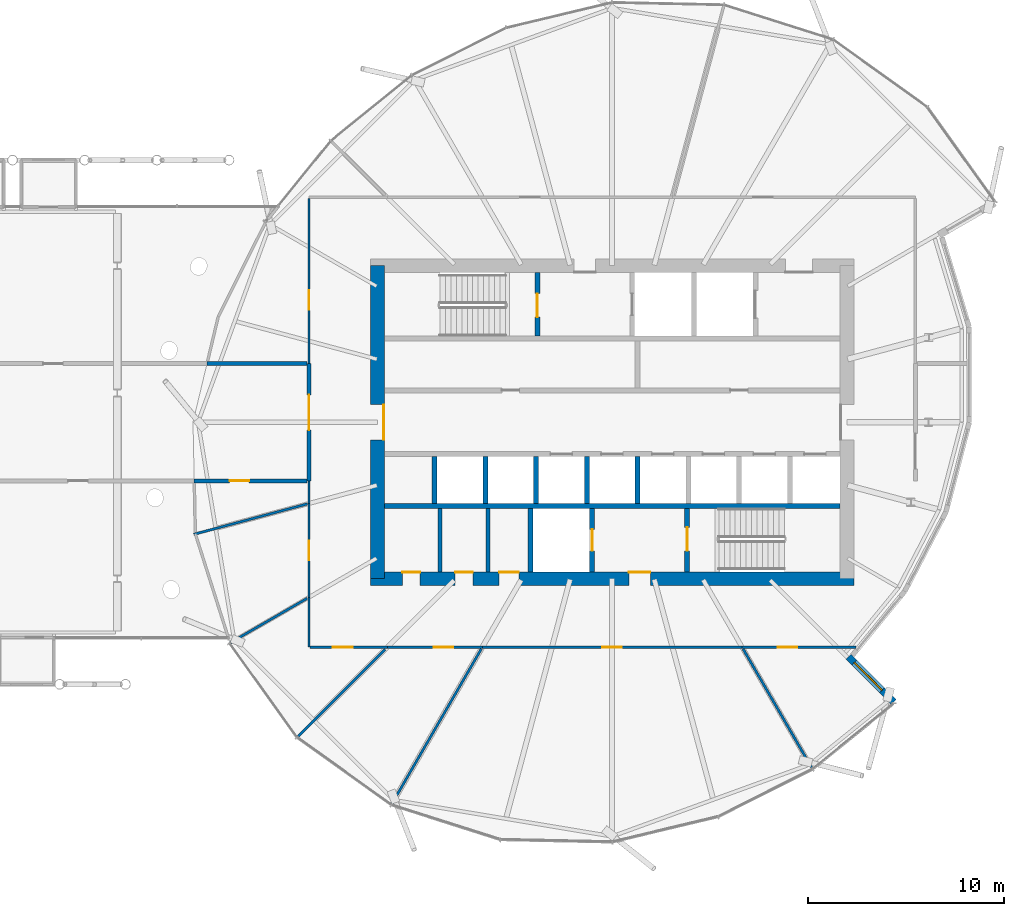
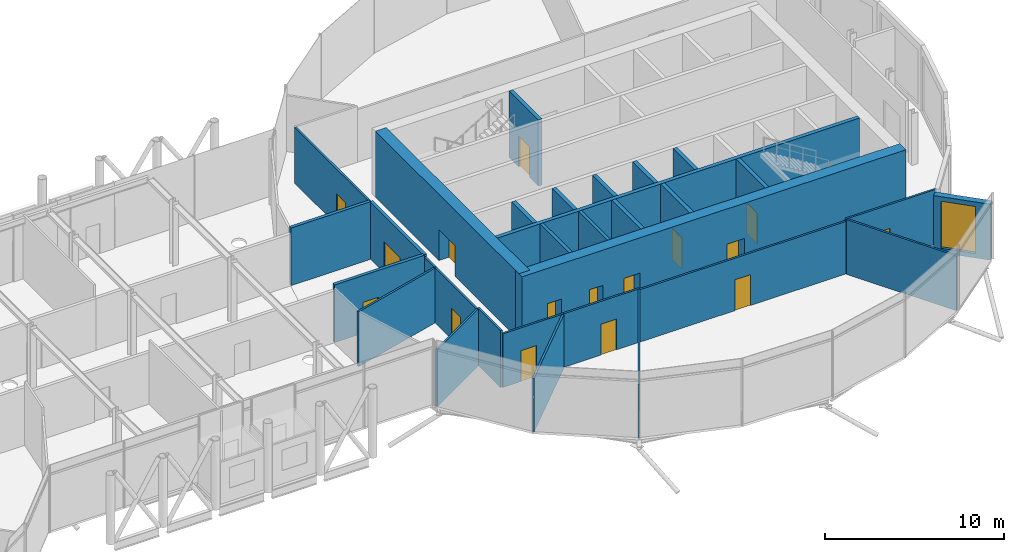
# One storey, part 25 of 36: 31 walls, 16 doors, 1 window, 17 openings.
"""IFC4 building model written with IfcOpenShell, lengths in metres."""

from ifc_helpers import new_model, si_unit, direction, frame, frame_2d, origin, place, context, subcontext, project, spatial, rectangle, extrude, material, layer, layer_set, type_object, element, fill, save


model = new_model("IFC4")

# Units and contexts
model_context = context("Model", 3, precision=1e-05, world=origin(), true_north=direction((0.0, 1.0)))
body_context = subcontext(model_context, "Body", "Model", "MODEL_VIEW")
ifc_project = project(units=[si_unit("LENGTHUNIT", "METRE"), si_unit("AREAUNIT", "SQUARE_METRE"), si_unit("VOLUMEUNIT", "CUBIC_METRE"), si_unit("PLANEANGLEUNIT", "RADIAN"), si_unit("MASSUNIT", "GRAM", prefix="KILO")], contexts=[model_context])

# Site, building, storey
site_placement = place(None, origin())
site = spatial("IfcSite", under=ifc_project, at=site_placement, CompositionType="ELEMENT")
building_placement = place(site_placement, origin())
building = spatial("IfcBuilding", under=site, at=building_placement, Name="Rimbun Link Towers", CompositionType="ELEMENT")
storey_placement = place(building_placement, frame((0.0, 0.0, 154.39990234375)))
storey = spatial("IfcBuildingStorey", under=building, at=storey_placement, Name="L37", CompositionType="ELEMENT", Elevation=154.39990234375)

# Wall, opening, window
ifc_material_1 = material(Name="Dark enamelled glass spandrel on insulated aluminium backpan", Category="aluminium")
ifc_layer_1 = layer(ifc_material_1, 0.3701171875)
ifc_layer_set_1 = layer_set([ifc_layer_1], Name="CS dark enamelled spandrel wall 370")
wall_type_1 = type_object("IfcWallType", Name="CS dark enamelled spandrel wall 370", PredefinedType="STANDARD", material=ifc_layer_set_1)
wall_1_placement = place(storey_placement, frame((43.827880859375, -11.98583984375, 0.0), z_axis=(0.0, 0.0, 1.0), x_axis=(0.707106781187, -0.707106781187, 0.0)))
wall_1 = element("IfcWall", 1, at=wall_1_placement, inside=storey, type_object=wall_type_1, Name="Crease spandrel wall", PredefinedType="STANDARD", context=body_context, shape_type="SweptSolid", body=[
    extrude(rectangle(XDim=3.280029296875, YDim=0.3701171875, at=frame_2d((1.64013671875, 0.0))), origin(), (0.0, 0.0, 1.0), 3.80712890625),
])
opening_1_placement = place(wall_1_placement, frame((0.426513671875, 0.0, 0.300048828125)))
opening_1 = element("IfcOpeningElement", 2, at=opening_1_placement, cuts=wall_1, Name="Opening WR20H320", PredefinedType="OPENING", context=body_context, shape_type="SweptSolid", body=[
    extrude(rectangle(XDim=2.0, YDim=3.199951171875, at=frame_2d((1.0, 1.60009765625))), frame((0.0, 0.195068359375, 0.0), z_axis=(0.0, -1.0, 0.0), x_axis=(1.0, 0.0, 0.0)), (0.0, 0.0, 1.0), 0.39013671875),
])
ifc_material_2 = material(Name="Aluminium framed fixed window, dark tinted low-e glass", Category="aluminium")
window_type = type_object("IfcWindowType", Name="WR ribbon window 2000X3200", PartitioningType="SINGLE_PANEL", PredefinedType="WINDOW", material=ifc_material_2)
window_placement = place(opening_1_placement, origin())
window = element("IfcWindow", 3, at=window_placement, inside=storey, type_object=window_type, Name="Crease ribbon window", OverallHeight=3.199951171875, OverallWidth=2.0, PartitioningType="SINGLE_PANEL", PredefinedType="WINDOW", context=body_context, shape_type="SweptSolid", body=[
    extrude(rectangle(XDim=2.0, YDim=3.199951171875, at=frame_2d((1.0, 1.60009765625))), frame((0.0, 0.030029296875, 0.0), z_axis=(0.0, -1.0, 0.0), x_axis=(1.0, 0.0, 0.0)), (0.0, 0.0, 1.0), 0.06005859375),
])
fill(opening_1, window)

# Walls
ifc_material_3 = material(Name="Masonry blockwork", Category="masonry")
ifc_layer_2 = layer(ifc_material_3, 0.199951171875)
ifc_layer_set_2 = layer_set([ifc_layer_2], Name="Core partition 200")
wall_type_2 = type_object("IfcWallType", Name="Core partition 200", PredefinedType="PARTITIONING", material=ifc_layer_set_2)
for number, where, z_axis, x_axis, name in (
    (4, (22.949951171875, -4.39990234375, 0.0), (0.0, 0.0, 1.0), (0.0, -1.0, 0.0), "L37 T2 core wall C1"),
    (5, (25.39990234375, -4.39990234375, 0.0), (0.0, 0.0, 1.0), (0.0, -1.0, 0.0), "L37 T2 core wall C2"),
):
    element("IfcWall", number, at=place(storey_placement, frame(where, z_axis=z_axis, x_axis=x_axis)), inside=storey, type_object=wall_type_2, Name=name, PredefinedType="PARTITIONING", context=body_context, shape_type="SweptSolid", body=[
        extrude(rectangle(XDim=3.25, YDim=0.199951171875, at=frame_2d((1.625, 0.0))), origin(), (0.0, 0.0, 1.0), 4.5),
    ])

# Wall, openings, doors
ifc_material_4 = material(Name="Concrete C60/75", Category="concrete")
ifc_layer_3 = layer(ifc_material_4, 0.699951171875)
ifc_layer_set_3 = layer_set([ifc_layer_3], Name="Core shear wall 700")
wall_type_3 = type_object("IfcWallType", Name="Core shear wall 700", PredefinedType="SHEAR", material=ifc_layer_set_3)
wall_2_placement = place(storey_placement, frame((19.39990234375, -8.0, 0.0), z_axis=(0.0, 0.0, 1.0), x_axis=(1.0, 0.0, 0.0)))
wall_2 = element("IfcWall", 6, at=wall_2_placement, inside=storey, type_object=wall_type_3, Name="L37 T2 core wall S", PredefinedType="SHEAR", context=body_context, shape_type="SweptSolid", body=[
    extrude(rectangle(XDim=24.7001953125, YDim=0.699951171875, at=frame_2d((12.35009765625, 0.0))), origin(), (0.0, 0.0, 1.0), 4.5),
])
opening_2_placement = place(wall_2_placement, frame((13.199951171875, 0.0, 0.0)))
opening_2 = element("IfcOpeningElement", 7, at=opening_2_placement, cuts=wall_2, Name="Opening C2DCF01S", PredefinedType="OPENING", context=body_context, shape_type="SweptSolid", body=[
    extrude(rectangle(XDim=1.10009765625, YDim=2.10009765625, at=frame_2d((0.550048828125, 1.050048828125))), frame((0.0, 0.35986328125, 0.0), z_axis=(0.0, -1.0, 0.0), x_axis=(1.0, 0.0, 0.0)), (0.0, 0.0, 1.0), 0.719970703125),
])
opening_3_placement = place(wall_2_placement, frame((1.625, 0.0, 0.0)))
opening_3 = element("IfcOpeningElement", 8, at=opening_3_placement, cuts=wall_2, Name="Opening C2DWC02S", PredefinedType="OPENING", context=body_context, shape_type="SweptSolid", body=[
    extrude(rectangle(XDim=0.89990234375, YDim=2.10009765625, at=frame_2d((0.449951171875, 1.050048828125))), frame((0.0, 0.35986328125, 0.0), z_axis=(0.0, -1.0, 0.0), x_axis=(1.0, 0.0, 0.0)), (0.0, 0.0, 1.0), 0.719970703125),
])
opening_4_placement = place(wall_2_placement, frame((4.324951171875, 0.0, 0.0)))
opening_4 = element("IfcOpeningElement", 9, at=opening_4_placement, cuts=wall_2, Name="Opening C2DWC03S", PredefinedType="OPENING", context=body_context, shape_type="SweptSolid", body=[
    extrude(rectangle(XDim=0.89990234375, YDim=2.10009765625, at=frame_2d((0.449951171875, 1.050048828125))), frame((0.0, 0.35986328125, 0.0), z_axis=(0.0, -1.0, 0.0), x_axis=(1.0, 0.0, 0.0)), (0.0, 0.0, 1.0), 0.719970703125),
])
opening_5_placement = place(wall_2_placement, frame((6.574951171875, 0.0, 0.0)))
opening_5 = element("IfcOpeningElement", 10, at=opening_5_placement, cuts=wall_2, Name="Opening C2DAW04S", PredefinedType="OPENING", context=body_context, shape_type="SweptSolid", body=[
    extrude(rectangle(XDim=1.0, YDim=2.10009765625, at=frame_2d((0.5, 1.050048828125))), frame((0.0, 0.35986328125, 0.0), z_axis=(0.0, -1.0, 0.0), x_axis=(1.0, 0.0, 0.0)), (0.0, 0.0, 1.0), 0.719970703125),
])
ifc_material_5 = material(Name="Timber", Category="wood")
door_type_1 = type_object("IfcDoorType", Name="Accessible WC door", OperationType="SINGLE_SWING_LEFT", PredefinedType="DOOR", material=ifc_material_5)
door_1_placement = place(opening_5_placement, origin())
door_1 = element("IfcDoor", 11, at=door_1_placement, inside=storey, type_object=door_type_1, Name="L37 T2 accessible wc door", OperationType="SINGLE_SWING_LEFT", OverallHeight=2.10009765625, OverallWidth=1.0, PredefinedType="DOOR", context=body_context, shape_type="SweptSolid", body=[
    extrude(rectangle(XDim=1.0, YDim=2.10009765625, at=frame_2d((0.5, 1.050048828125))), frame((0.0, 0.35009765625, 0.0), z_axis=(0.0, -1.0, 0.0), x_axis=(1.0, 0.0, 0.0)), (0.0, 0.0, 1.0), 0.050048828125),
])
fill(opening_5, door_1)
ifc_material_6 = material(Name="Steel fire door set", Category="steel")
door_type_2 = type_object("IfcDoorType", Name="Core fire door single", OperationType="SINGLE_SWING_LEFT", PredefinedType="DOOR", material=ifc_material_6)
door_2_placement = place(opening_2_placement, origin())
door_2 = element("IfcDoor", 12, at=door_2_placement, inside=storey, type_object=door_type_2, Name="L37 T2 firefighting lobby s door", OperationType="SINGLE_SWING_RIGHT", OverallHeight=2.10009765625, OverallWidth=1.10009765625, PredefinedType="DOOR", context=body_context, shape_type="SweptSolid", body=[
    extrude(rectangle(XDim=1.10009765625, YDim=2.10009765625, at=frame_2d((0.550048828125, 1.050048828125))), frame((0.0, 0.35009765625, 0.0), z_axis=(0.0, -1.0, 0.0), x_axis=(1.0, 0.0, 0.0)), (0.0, 0.0, 1.0), 0.050048828125),
])
fill(opening_2, door_2)
ifc_material_7 = material(Name="Timber", Category="wood")
door_type_3 = type_object("IfcDoorType", Name="WC door", OperationType="SINGLE_SWING_LEFT", PredefinedType="DOOR", material=ifc_material_7)
door_3_placement = place(opening_3_placement, origin())
door_3 = element("IfcDoor", 13, at=door_3_placement, inside=storey, type_object=door_type_3, Name="L37 T2 male wc door", OperationType="SINGLE_SWING_RIGHT", OverallHeight=2.10009765625, OverallWidth=0.89990234375, PredefinedType="DOOR", context=body_context, shape_type="SweptSolid", body=[
    extrude(rectangle(XDim=0.89990234375, YDim=2.10009765625, at=frame_2d((0.449951171875, 1.050048828125))), frame((0.0, 0.35009765625, 0.0), z_axis=(0.0, -1.0, 0.0), x_axis=(1.0, 0.0, 0.0)), (0.0, 0.0, 1.0), 0.050048828125),
])
fill(opening_3, door_3)
door_4_placement = place(opening_4_placement, origin())
door_4 = element("IfcDoor", 14, at=door_4_placement, inside=storey, type_object=door_type_3, Name="L37 T2 female wc door", OperationType="SINGLE_SWING_RIGHT", OverallHeight=2.10009765625, OverallWidth=0.89990234375, PredefinedType="DOOR", context=body_context, shape_type="SweptSolid", body=[
    extrude(rectangle(XDim=0.89990234375, YDim=2.10009765625, at=frame_2d((0.449951171875, 1.050048828125))), frame((0.0, 0.35009765625, 0.0), z_axis=(0.0, -1.0, 0.0), x_axis=(1.0, 0.0, 0.0)), (0.0, 0.0, 1.0), 0.050048828125),
])
fill(opening_4, door_4)

# Wall, opening, door
wall_3_placement = place(storey_placement, frame((19.75, -8.0, 0.0), z_axis=(0.0, 0.0, 1.0), x_axis=(0.0, 1.0, 0.0)))
wall_3 = element("IfcWall", 15, at=wall_3_placement, inside=storey, type_object=wall_type_3, Name="L37 T2 core wall W", PredefinedType="SHEAR", context=body_context, shape_type="SweptSolid", body=[
    extrude(rectangle(XDim=16.0, YDim=0.699951171875, at=frame_2d((8.0, 0.0))), origin(), (0.0, 0.0, 1.0), 4.5),
])
opening_6_placement = place(wall_3_placement, frame((7.10009765625, 0.0, 0.0)))
opening_6 = element("IfcOpeningElement", 16, at=opening_6_placement, cuts=wall_3, Name="Opening C2DCL01W", PredefinedType="OPENING", context=body_context, shape_type="SweptSolid", body=[
    extrude(rectangle(XDim=1.800048828125, YDim=2.10009765625, at=frame_2d((0.89990234375, 1.050048828125))), frame((0.0, 0.35986328125, 0.0), z_axis=(0.0, -1.0, 0.0), x_axis=(1.0, 0.0, 0.0)), (0.0, 0.0, 1.0), 0.719970703125),
])
ifc_material_8 = material(Name="Steel fire door set", Category="steel")
door_type_4 = type_object("IfcDoorType", Name="Core lobby door double", OperationType="DOUBLE_DOOR_SINGLE_SWING", PredefinedType="DOOR", material=ifc_material_8)
door_5_placement = place(opening_6_placement, origin())
door_5 = element("IfcDoor", 17, at=door_5_placement, inside=storey, type_object=door_type_4, Name="L37 T2 lift lobby door", OperationType="DOUBLE_DOOR_SINGLE_SWING", OverallHeight=2.10009765625, OverallWidth=1.800048828125, PredefinedType="DOOR", context=body_context, shape_type="SweptSolid", body=[
    extrude(rectangle(XDim=1.800048828125, YDim=2.10009765625, at=frame_2d((0.89990234375, 1.050048828125))), frame((0.0, -0.2998046875, 0.0), z_axis=(0.0, -1.0, 0.0), x_axis=(1.0, 0.0, 0.0)), (0.0, 0.0, 1.0), 0.050048828125),
])
fill(opening_6, door_5)

ifc_material_9 = material(Name="Concrete blockwork", Category="masonry")
ifc_layer_4 = layer(ifc_material_9, 0.199951171875)
ifc_layer_set_4 = layer_set([ifc_layer_4], Name="Fire partition 200 blockwork")
wall_type_4 = type_object("IfcWallType", Name="Fire partition 200 blockwork", PredefinedType="PARTITIONING", material=ifc_layer_set_4)
wall_4_placement = place(storey_placement, frame((16.25, 3.0, 0.0), z_axis=(0.0, 0.0, 1.0), x_axis=(0.0, -1.0, 0.0)))
wall_4 = element("IfcWall", 18, at=wall_4_placement, inside=storey, type_object=wall_type_4, Name="TW/PW/L37/036", PredefinedType="PARTITIONING", context=body_context, shape_type="SweptSolid", body=[
    extrude(rectangle(XDim=6.0, YDim=0.199951171875, at=frame_2d((3.0, 0.0))), origin(), (0.0, 0.0, 1.0), 3.877197265625),
])
opening_7_placement = place(wall_4_placement, frame((1.60498046875, 0.0, 0.0)))
opening_7 = element("IfcOpeningElement", 19, at=opening_7_placement, cuts=wall_4, Name="Opening TW D37.26", PredefinedType="OPENING", context=body_context, shape_type="SweptSolid", body=[
    extrude(rectangle(XDim=1.800048828125, YDim=2.10009765625, at=frame_2d((0.89990234375, 1.050048828125))), frame((0.0, 0.10986328125, 0.0), z_axis=(0.0, -1.0, 0.0), x_axis=(1.0, 0.0, 0.0)), (0.0, 0.0, 1.0), 0.219970703125),
])
ifc_material_10 = material(Name="Steel fire door set", Category="steel")
door_type_5 = type_object("IfcDoorType", Name="Fire door double leaf 1800 x 2100", OperationType="NOTDEFINED", PredefinedType="DOOR", material=ifc_material_10)
door_6_placement = place(opening_7_placement, origin())
door_6 = element("IfcDoor", 20, at=door_6_placement, inside=storey, type_object=door_type_5, Name="TW/DR/L37/026", OperationType="DOUBLE_DOOR_SINGLE_SWING", OverallHeight=2.10009765625, OverallWidth=1.800048828125, PredefinedType="DOOR", context=body_context, shape_type="SweptSolid", body=[
    extrude(rectangle(XDim=1.800048828125, YDim=2.10009765625, at=frame_2d((0.89990234375, 1.050048828125))), frame((0.0, 0.02490234375, 0.0), z_axis=(0.0, -1.0, 0.0), x_axis=(1.0, 0.0, 0.0)), (0.0, 0.0, 1.0), 0.050048828125),
])
fill(opening_7, door_6)

wall_5_placement = place(storey_placement, frame((10.382080078125, -3.0, 0.0), z_axis=(0.0, 0.0, 1.0), x_axis=(1.0, 0.0, 0.0)))
wall_5 = element("IfcWall", 21, at=wall_5_placement, inside=storey, type_object=wall_type_4, Name="TW/PW/L37/050", PredefinedType="PARTITIONING", context=body_context, shape_type="SweptSolid", body=[
    extrude(rectangle(XDim=5.767822265625, YDim=0.199951171875, at=frame_2d((2.8837890625, 0.0))), origin(), (0.0, 0.0, 1.0), 3.924072265625),
])
opening_8_placement = place(wall_5_placement, frame((1.803955078125, 0.0, 0.0)))
opening_8 = element("IfcOpeningElement", 22, at=opening_8_placement, cuts=wall_5, Name="Opening TW D37.17", PredefinedType="OPENING", context=body_context, shape_type="SweptSolid", body=[
    extrude(rectangle(XDim=1.0, YDim=2.10009765625, at=frame_2d((0.5, 1.050048828125))), frame((0.0, 0.10986328125, 0.0), z_axis=(0.0, -1.0, 0.0), x_axis=(1.0, 0.0, 0.0)), (0.0, 0.0, 1.0), 0.219970703125),
])
ifc_material_11 = material(Name="Steel fire door set", Category="steel")
door_type_6 = type_object("IfcDoorType", Name="Fire door single leaf 1000 x 2100", OperationType="NOTDEFINED", PredefinedType="DOOR", material=ifc_material_11)
door_7_placement = place(opening_8_placement, origin())
door_7 = element("IfcDoor", 23, at=door_7_placement, inside=storey, type_object=door_type_6, Name="TW/DR/L37/017", OperationType="SINGLE_SWING_RIGHT", OverallHeight=2.10009765625, OverallWidth=1.0, PredefinedType="DOOR", context=body_context, shape_type="SweptSolid", body=[
    extrude(rectangle(XDim=1.0, YDim=2.10009765625, at=frame_2d((0.5, 1.050048828125))), frame((0.0, 0.02490234375, 0.0), z_axis=(0.0, -1.0, 0.0), x_axis=(1.0, 0.0, 0.0)), (0.0, 0.0, 1.0), 0.050048828125),
])
fill(opening_8, door_7)

# Wall
wall_6_placement = place(storey_placement, frame((16.14990234375, 3.0, 0.0), z_axis=(0.0, 0.0, 1.0), x_axis=(-1.0, 0.0, 0.0)))
element("IfcWall", 24, at=wall_6_placement, inside=storey, type_object=wall_type_4, Name="TW/PW/L37/051", PredefinedType="PARTITIONING", context=body_context, shape_type="SweptSolid", body=[
    extrude(rectangle(XDim=5.11376953125, YDim=0.199951171875, at=frame_2d((2.556884765625, 0.0))), origin(), (0.0, 0.0, 1.0), 3.924072265625),
])

# Wall, opening, door
ifc_material_12 = material(Name="Gypsum board on steel studs", Category="steel")
ifc_layer_5 = layer(ifc_material_12, 0.125)
ifc_layer_set_5 = layer_set([ifc_layer_5], Name="Partition 125 board on studs")
wall_type_5 = type_object("IfcWallType", Name="Partition 125 board on studs", PredefinedType="PARTITIONING", material=ifc_layer_set_5)
wall_7_placement = place(storey_placement, frame((16.25, -4.1533203125, 0.0), z_axis=(0.0, 0.0, 1.0), x_axis=(0.0, -1.0, 0.0)))
wall_7 = element("IfcWall", 25, at=wall_7_placement, inside=storey, type_object=wall_type_5, Name="TW/PW/L37/037", PredefinedType="PARTITIONING", context=body_context, shape_type="SweptSolid", body=[
    extrude(rectangle(XDim=4.795654296875, YDim=0.125, at=frame_2d((2.39794921875, 0.0))), origin(), (0.0, 0.0, 1.0), 3.72705078125),
])
opening_9_placement = place(wall_7_placement, frame((1.89794921875, 0.0, 0.0)))
opening_9 = element("IfcOpeningElement", 26, at=opening_9_placement, cuts=wall_7, Name="Opening TW D37.10", PredefinedType="OPENING", context=body_context, shape_type="SweptSolid", body=[
    extrude(rectangle(XDim=1.0, YDim=2.10009765625, at=frame_2d((0.5, 1.050048828125))), frame((0.0, 0.072509765625, 0.0), z_axis=(0.0, -1.0, 0.0), x_axis=(1.0, 0.0, 0.0)), (0.0, 0.0, 1.0), 0.14501953125),
])
ifc_material_13 = material(Name="Timber door set", Category="wood")
door_type_7 = type_object("IfcDoorType", Name="Door single leaf 1000 x 2100", OperationType="NOTDEFINED", PredefinedType="DOOR", material=ifc_material_13)
door_8_placement = place(opening_9_placement, origin())
door_8 = element("IfcDoor", 27, at=door_8_placement, inside=storey, type_object=door_type_7, Name="TW/DR/L37/010", OperationType="SINGLE_SWING_LEFT", OverallHeight=2.10009765625, OverallWidth=1.0, PredefinedType="DOOR", context=body_context, shape_type="SweptSolid", body=[
    extrude(rectangle(XDim=1.0, YDim=2.10009765625, at=frame_2d((0.5, 1.050048828125))), frame((0.0, 0.02490234375, 0.0), z_axis=(0.0, -1.0, 0.0), x_axis=(1.0, 0.0, 0.0)), (0.0, 0.0, 1.0), 0.050048828125),
])
fill(opening_9, door_8)

# Wall
wall_8_placement = place(storey_placement, frame((16.25, -8.948974609375, 0.0), z_axis=(0.0, 0.0, 1.0), x_axis=(0.0, -1.0, 0.0)))
element("IfcWall", 28, at=wall_8_placement, inside=storey, type_object=wall_type_5, Name="TW/PW/L37/038", PredefinedType="PARTITIONING", context=body_context, shape_type="SweptSolid", body=[
    extrude(rectangle(XDim=2.551025390625, YDim=0.125, at=frame_2d((1.275390625, 0.0))), origin(), (0.0, 0.0, 1.0), 3.877197265625),
])

# Wall, opening, door
wall_9_placement = place(storey_placement, frame((16.3125, -11.5, 0.0), z_axis=(0.0, 0.0, 1.0), x_axis=(1.0, 0.0, 0.0)))
wall_9 = element("IfcWall", 29, at=wall_9_placement, inside=storey, type_object=wall_type_5, Name="TW/PW/L37/039", PredefinedType="PARTITIONING", context=body_context, shape_type="SweptSolid", body=[
    extrude(rectangle(XDim=3.9375, YDim=0.125, at=frame_2d((1.96875, 0.0))), origin(), (0.0, 0.0, 1.0), 3.647216796875),
])
opening_10_placement = place(wall_9_placement, frame((1.1630859375, 0.0, 0.0)))
opening_10 = element("IfcOpeningElement", 30, at=opening_10_placement, cuts=wall_9, Name="Opening TW D37.11", PredefinedType="OPENING", context=body_context, shape_type="SweptSolid", body=[
    extrude(rectangle(XDim=1.0, YDim=2.10009765625, at=frame_2d((0.5, 1.050048828125))), frame((0.0, 0.072509765625, 0.0), z_axis=(0.0, -1.0, 0.0), x_axis=(1.0, 0.0, 0.0)), (0.0, 0.0, 1.0), 0.14501953125),
])
door_9_placement = place(opening_10_placement, origin())
door_9 = element("IfcDoor", 31, at=door_9_placement, inside=storey, type_object=door_type_7, Name="TW/DR/L37/011", OperationType="SINGLE_SWING_RIGHT", OverallHeight=2.10009765625, OverallWidth=1.0, PredefinedType="DOOR", context=body_context, shape_type="SweptSolid", body=[
    extrude(rectangle(XDim=1.0, YDim=2.10009765625, at=frame_2d((0.5, 1.050048828125))), frame((0.0, 0.02490234375, 0.0), z_axis=(0.0, -1.0, 0.0), x_axis=(1.0, 0.0, 0.0)), (0.0, 0.0, 1.0), 0.050048828125),
])
fill(opening_10, door_9)

wall_10_placement = place(storey_placement, frame((20.25, -11.5, 0.0), z_axis=(0.0, 0.0, 1.0), x_axis=(1.0, 0.0, 0.0)))
wall_10 = element("IfcWall", 32, at=wall_10_placement, inside=storey, type_object=wall_type_5, Name="TW/PW/L37/040", PredefinedType="PARTITIONING", context=body_context, shape_type="SweptSolid", body=[
    extrude(rectangle(XDim=4.860595703125, YDim=0.125, at=frame_2d((2.43017578125, 0.0))), origin(), (0.0, 0.0, 1.0), 3.647216796875),
])
opening_11_placement = place(wall_10_placement, frame((2.3740234375, 0.0, 0.0)))
opening_11 = element("IfcOpeningElement", 33, at=opening_11_placement, cuts=wall_10, Name="Opening TW D37.12", PredefinedType="OPENING", context=body_context, shape_type="SweptSolid", body=[
    extrude(rectangle(XDim=1.0, YDim=2.10009765625, at=frame_2d((0.5, 1.050048828125))), frame((0.0, 0.072509765625, 0.0), z_axis=(0.0, -1.0, 0.0), x_axis=(1.0, 0.0, 0.0)), (0.0, 0.0, 1.0), 0.14501953125),
])
door_10_placement = place(opening_11_placement, origin())
door_10 = element("IfcDoor", 34, at=door_10_placement, inside=storey, type_object=door_type_7, Name="TW/DR/L37/012", OperationType="SINGLE_SWING_LEFT", OverallHeight=2.10009765625, OverallWidth=1.0, PredefinedType="DOOR", context=body_context, shape_type="SweptSolid", body=[
    extrude(rectangle(XDim=1.0, YDim=2.10009765625, at=frame_2d((0.5, 1.050048828125))), frame((0.0, 0.02490234375, 0.0), z_axis=(0.0, -1.0, 0.0), x_axis=(1.0, 0.0, 0.0)), (0.0, 0.0, 1.0), 0.050048828125),
])
fill(opening_11, door_10)

wall_11_placement = place(storey_placement, frame((25.110595703125, -11.5, 0.0), z_axis=(0.0, 0.0, 1.0), x_axis=(1.0, 0.0, 0.0)))
wall_11 = element("IfcWall", 35, at=wall_11_placement, inside=storey, type_object=wall_type_5, Name="TW/PW/L37/041", PredefinedType="PARTITIONING", context=body_context, shape_type="SweptSolid", body=[
    extrude(rectangle(XDim=13.27880859375, YDim=0.125, at=frame_2d((6.639404296875, 0.0))), origin(), (0.0, 0.0, 1.0), 3.568115234375),
])
opening_12_placement = place(wall_11_placement, frame((6.139892578125, 0.0, 0.0)))
opening_12 = element("IfcOpeningElement", 36, at=opening_12_placement, cuts=wall_11, Name="Opening TW D37.13", PredefinedType="OPENING", context=body_context, shape_type="SweptSolid", body=[
    extrude(rectangle(XDim=1.0, YDim=2.10009765625, at=frame_2d((0.5, 1.050048828125))), frame((0.0, 0.072509765625, 0.0), z_axis=(0.0, -1.0, 0.0), x_axis=(1.0, 0.0, 0.0)), (0.0, 0.0, 1.0), 0.14501953125),
])
door_11_placement = place(opening_12_placement, origin())
door_11 = element("IfcDoor", 37, at=door_11_placement, inside=storey, type_object=door_type_7, Name="TW/DR/L37/013", OperationType="SINGLE_SWING_RIGHT", OverallHeight=2.10009765625, OverallWidth=1.0, PredefinedType="DOOR", context=body_context, shape_type="SweptSolid", body=[
    extrude(rectangle(XDim=1.0, YDim=2.10009765625, at=frame_2d((0.5, 1.050048828125))), frame((0.0, 0.02490234375, 0.0), z_axis=(0.0, -1.0, 0.0), x_axis=(1.0, 0.0, 0.0)), (0.0, 0.0, 1.0), 0.050048828125),
])
fill(opening_12, door_11)

wall_12_placement = place(storey_placement, frame((38.389404296875, -11.5, 0.0), z_axis=(0.0, 0.0, 1.0), x_axis=(1.0, 0.0, 0.0)))
wall_12 = element("IfcWall", 38, at=wall_12_placement, inside=storey, type_object=wall_type_5, Name="TW/PW/L37/042", PredefinedType="PARTITIONING", context=body_context, shape_type="SweptSolid", body=[
    extrude(rectangle(XDim=5.827392578125, YDim=0.125, at=frame_2d((2.91357421875, 0.0))), origin(), (0.0, 0.0, 1.0), 3.72705078125),
])
opening_13_placement = place(wall_12_placement, frame((1.824951171875, 0.0, 0.0)))
opening_13 = element("IfcOpeningElement", 39, at=opening_13_placement, cuts=wall_12, Name="Opening TW D37.14", PredefinedType="OPENING", context=body_context, shape_type="SweptSolid", body=[
    extrude(rectangle(XDim=1.0, YDim=2.10009765625, at=frame_2d((0.5, 1.050048828125))), frame((0.0, 0.072509765625, 0.0), z_axis=(0.0, -1.0, 0.0), x_axis=(1.0, 0.0, 0.0)), (0.0, 0.0, 1.0), 0.14501953125),
])
door_12_placement = place(opening_13_placement, origin())
door_12 = element("IfcDoor", 40, at=door_12_placement, inside=storey, type_object=door_type_7, Name="TW/DR/L37/014", OperationType="SINGLE_SWING_LEFT", OverallHeight=2.10009765625, OverallWidth=1.0, PredefinedType="DOOR", context=body_context, shape_type="SweptSolid", body=[
    extrude(rectangle(XDim=1.0, YDim=2.10009765625, at=frame_2d((0.5, 1.050048828125))), frame((0.0, 0.02490234375, 0.0), z_axis=(0.0, -1.0, 0.0), x_axis=(1.0, 0.0, 0.0)), (0.0, 0.0, 1.0), 0.050048828125),
])
fill(opening_13, door_12)

# Wall
wall_13_placement = place(storey_placement, frame((16.25, -3.0, 0.0), z_axis=(0.0, 0.0, 1.0), x_axis=(0.0, -1.0, 0.0)))
element("IfcWall", 41, at=wall_13_placement, inside=storey, type_object=wall_type_5, Name="TW/PW/L37/046", PredefinedType="PARTITIONING", context=body_context, shape_type="SweptSolid", body=[
    extrude(rectangle(XDim=1.1533203125, YDim=0.125, at=frame_2d((0.57666015625, 0.0))), origin(), (0.0, 0.0, 1.0), 3.72705078125),
])

# Wall, opening, door
wall_14_placement = place(storey_placement, frame((16.25, 11.4375, 0.0), z_axis=(0.0, 0.0, 1.0), x_axis=(0.0, -1.0, 0.0)))
wall_14 = element("IfcWall", 42, at=wall_14_placement, inside=storey, type_object=wall_type_5, Name="TW/PW/L37/048", PredefinedType="PARTITIONING", context=body_context, shape_type="SweptSolid", body=[
    extrude(rectangle(XDim=8.4375, YDim=0.125, at=frame_2d((4.21875, 0.0))), origin(), (0.0, 0.0, 1.0), 3.797119140625),
])
opening_14_placement = place(wall_14_placement, frame((4.698974609375, 0.0, 0.0)))
opening_14 = element("IfcOpeningElement", 43, at=opening_14_placement, cuts=wall_14, Name="Opening TW D37.18", PredefinedType="OPENING", context=body_context, shape_type="SweptSolid", body=[
    extrude(rectangle(XDim=1.0, YDim=2.10009765625, at=frame_2d((0.5, 1.050048828125))), frame((0.0, 0.072509765625, 0.0), z_axis=(0.0, -1.0, 0.0), x_axis=(1.0, 0.0, 0.0)), (0.0, 0.0, 1.0), 0.14501953125),
])
door_13_placement = place(opening_14_placement, origin())
door_13 = element("IfcDoor", 44, at=door_13_placement, inside=storey, type_object=door_type_7, Name="TW/DR/L37/018", OperationType="SINGLE_SWING_LEFT", OverallHeight=2.10009765625, OverallWidth=1.0, PredefinedType="DOOR", context=body_context, shape_type="SweptSolid", body=[
    extrude(rectangle(XDim=1.0, YDim=2.10009765625, at=frame_2d((0.5, 1.050048828125))), frame((0.0, 0.02490234375, 0.0), z_axis=(0.0, -1.0, 0.0), x_axis=(1.0, 0.0, 0.0)), (0.0, 0.0, 1.0), 0.050048828125),
])
fill(opening_14, door_13)

# Walls
wall_15_placement = place(storey_placement, frame((12.210693359375, -11.281005859375, 0.0), z_axis=(0.0, 0.0, 1.0), x_axis=(0.866038344573, 0.499977585228, 0.0)))
element("IfcWall", 45, at=wall_15_placement, inside=storey, type_object=wall_type_5, Name="TW/PW/L37/052", PredefinedType="PARTITIONING", context=body_context, shape_type="SweptSolid", body=[
    extrude(rectangle(XDim=4.555908203125, YDim=0.125, at=frame_2d((2.27783203125, 0.0))), origin(), (0.0, 0.0, 1.0), 3.877197265625),
])
wall_16_placement = place(storey_placement, frame((16.17138671875, -4.17431640625, 0.0), z_axis=(0.0, 0.0, 1.0), x_axis=(-0.965927033719, -0.258814538872, 0.0)))
element("IfcWall", 46, at=wall_16_placement, inside=storey, type_object=wall_type_5, Name="TW/PW/L37/053", PredefinedType="PARTITIONING", context=body_context, shape_type="SweptSolid", body=[
    extrude(rectangle(XDim=6.014404296875, YDim=0.125, at=frame_2d((3.00732421875, 0.0))), origin(), (0.0, 0.0, 1.0), 3.72705078125),
])
wall_17_placement = place(storey_placement, frame((15.604248046875, -16.145751953125, 0.0), z_axis=(0.0, 0.0, 1.0), x_axis=(0.707106781187, 0.707106781187, 0.0)))
element("IfcWall", 47, at=wall_17_placement, inside=storey, type_object=wall_type_5, Name="TW/PW/L37/055", PredefinedType="PARTITIONING", context=body_context, shape_type="SweptSolid", body=[
    extrude(rectangle(XDim=6.419189453125, YDim=0.125, at=frame_2d((3.20947265625, 0.0))), origin(), (0.0, 0.0, 1.0), 3.647216796875),
])
wall_18_placement = place(storey_placement, frame((20.428955078125, -19.608642578125, 0.0), z_axis=(0.0, 0.0, 1.0), x_axis=(0.500003324108, 0.866023484601, 0.0)))
element("IfcWall", 48, at=wall_18_placement, inside=storey, type_object=wall_type_5, Name="TW/PW/L37/056", PredefinedType="PARTITIONING", context=body_context, shape_type="SweptSolid", body=[
    extrude(rectangle(XDim=9.2548828125, YDim=0.125, at=frame_2d((4.62744140625, 0.0))), origin(), (0.0, 0.0, 1.0), 3.647216796875),
])
wall_19_placement = place(storey_placement, frame((41.9775390625, -17.714599609375, 0.0), z_axis=(0.0, 0.0, 1.0), x_axis=(-0.500006513054, 0.866021643438, 0.0)))
element("IfcWall", 49, at=wall_19_placement, inside=storey, type_object=wall_type_5, Name="TW/PW/L37/057", PredefinedType="PARTITIONING", context=body_context, shape_type="SweptSolid", body=[
    extrude(rectangle(XDim=7.06787109375, YDim=0.125, at=frame_2d((3.533935546875, 0.0))), origin(), (0.0, 0.0, 1.0), 3.72705078125),
])
ifc_material_14 = material(Name="Concrete C60/75", Category="concrete")
ifc_layer_6 = layer(ifc_material_14, 0.25)
ifc_layer_set_6 = layer_set([ifc_layer_6], Name="Shaft wall 250")
wall_type_6 = type_object("IfcWallType", Name="Shaft wall 250", PredefinedType="SHEAR", material=ifc_layer_set_6)
wall_20_placement = place(storey_placement, frame((20.10009765625, -4.27490234375, 0.0), z_axis=(0.0, 0.0, 1.0), x_axis=(1.0, 0.0, 0.0)))
element("IfcWall", 50, at=wall_20_placement, inside=storey, type_object=wall_type_6, Name="L37 T2 core wall BS", PredefinedType="SHEAR", context=body_context, shape_type="SweptSolid", body=[
    extrude(rectangle(XDim=23.2998046875, YDim=0.25, at=frame_2d((11.64990234375, 0.0))), origin(), (0.0, 0.0, 1.0), 4.5),
])
for number, where, z_axis, x_axis, name in (
    (51, (22.66943359375, -4.14990234375, 0.0), (0.0, 0.0, 1.0), (0.0, 1.0, 0.0), "L37 T2 core wall DS0"),
    (52, (25.263916015625, -4.14990234375, 0.0), (0.0, 0.0, 1.0), (0.0, 1.0, 0.0), "L37 T2 core wall DS1"),
    (53, (27.8583984375, -4.14990234375, 0.0), (0.0, 0.0, 1.0), (0.0, 1.0, 0.0), "L37 T2 core wall DS2"),
    (54, (30.452880859375, -4.14990234375, 0.0), (0.0, 0.0, 1.0), (0.0, 1.0, 0.0), "L37 T2 core wall DS3"),
    (55, (33.047119140625, -4.14990234375, 0.0), (0.0, 0.0, 1.0), (0.0, 1.0, 0.0), "L37 T2 core wall DS4"),
):
    element("IfcWall", number, at=place(storey_placement, frame(where, z_axis=z_axis, x_axis=x_axis)), inside=storey, type_object=wall_type_6, Name=name, PredefinedType="SHEAR", context=body_context, shape_type="SweptSolid", body=[
        extrude(rectangle(XDim=2.39990234375, YDim=0.25, at=frame_2d((1.199951171875, 0.0))), origin(), (0.0, 0.0, 1.0), 4.5),
    ])

# Wall, opening, door
wall_21_placement = place(storey_placement, frame((27.925048828125, 4.39990234375, 0.0), z_axis=(0.0, 0.0, 1.0), x_axis=(0.0, 1.0, 0.0)))
wall_21 = element("IfcWall", 56, at=wall_21_placement, inside=storey, type_object=wall_type_6, Name="L37 T2 core wall A1", PredefinedType="SHEAR", context=body_context, shape_type="SweptSolid", body=[
    extrude(rectangle(XDim=3.25, YDim=0.25, at=frame_2d((1.625, 0.0))), origin(), (0.0, 0.0, 1.0), 4.5),
])
opening_15_placement = place(wall_21_placement, frame((0.97509765625, 0.0, 0.0)))
opening_15 = element("IfcOpeningElement", 57, at=opening_15_placement, cuts=wall_21, Name="Opening C2DST01A1", PredefinedType="OPENING", context=body_context, shape_type="SweptSolid", body=[
    extrude(rectangle(XDim=1.199951171875, YDim=2.10009765625, at=frame_2d((0.60009765625, 1.050048828125))), frame((0.0, 0.135009765625, 0.0), z_axis=(0.0, -1.0, 0.0), x_axis=(1.0, 0.0, 0.0)), (0.0, 0.0, 1.0), 0.27001953125),
])
ifc_material_15 = material(Name="Steel fire door set", Category="steel")
door_type_8 = type_object("IfcDoorType", Name="Stair door", OperationType="SINGLE_SWING_LEFT", PredefinedType="DOOR", material=ifc_material_15)
door_14_placement = place(opening_15_placement, origin())
door_14 = element("IfcDoor", 58, at=door_14_placement, inside=storey, type_object=door_type_8, Name="L37 T2 stair a door", OperationType="SINGLE_SWING_RIGHT", OverallHeight=2.10009765625, OverallWidth=1.199951171875, PredefinedType="DOOR", context=body_context, shape_type="SweptSolid", body=[
    extrude(rectangle(XDim=1.199951171875, YDim=2.10009765625, at=frame_2d((0.60009765625, 1.050048828125))), frame((0.0, 0.02490234375, 0.0), z_axis=(0.0, -1.0, 0.0), x_axis=(1.0, 0.0, 0.0)), (0.0, 0.0, 1.0), 0.050048828125),
])
fill(opening_15, door_14)

wall_22_placement = place(storey_placement, frame((35.574951171875, -4.39990234375, 0.0), z_axis=(0.0, 0.0, 1.0), x_axis=(0.0, -1.0, 0.0)))
wall_22 = element("IfcWall", 59, at=wall_22_placement, inside=storey, type_object=wall_type_6, Name="L37 T2 core wall B1", PredefinedType="SHEAR", context=body_context, shape_type="SweptSolid", body=[
    extrude(rectangle(XDim=3.25, YDim=0.25, at=frame_2d((1.625, 0.0))), origin(), (0.0, 0.0, 1.0), 4.5),
])
opening_16_placement = place(wall_22_placement, frame((0.97509765625, 0.0, 0.0)))
opening_16 = element("IfcOpeningElement", 60, at=opening_16_placement, cuts=wall_22, Name="Opening C2DST01B1", PredefinedType="OPENING", context=body_context, shape_type="SweptSolid", body=[
    extrude(rectangle(XDim=1.199951171875, YDim=2.10009765625, at=frame_2d((0.60009765625, 1.050048828125))), frame((0.0, 0.135009765625, 0.0), z_axis=(0.0, -1.0, 0.0), x_axis=(1.0, 0.0, 0.0)), (0.0, 0.0, 1.0), 0.27001953125),
])
door_15_placement = place(opening_16_placement, origin())
door_15 = element("IfcDoor", 61, at=door_15_placement, inside=storey, type_object=door_type_8, Name="L37 T2 stair b door", OperationType="SINGLE_SWING_RIGHT", OverallHeight=2.10009765625, OverallWidth=1.199951171875, PredefinedType="DOOR", context=body_context, shape_type="SweptSolid", body=[
    extrude(rectangle(XDim=1.199951171875, YDim=2.10009765625, at=frame_2d((0.60009765625, 1.050048828125))), frame((0.0, 0.02490234375, 0.0), z_axis=(0.0, -1.0, 0.0), x_axis=(1.0, 0.0, 0.0)), (0.0, 0.0, 1.0), 0.050048828125),
])
fill(opening_16, door_15)

wall_23_placement = place(storey_placement, frame((30.72509765625, -4.39990234375, 0.0), z_axis=(0.0, 0.0, 1.0), x_axis=(0.0, -1.0, 0.0)))
wall_23 = element("IfcWall", 62, at=wall_23_placement, inside=storey, type_object=wall_type_6, Name="L37 T2 core wall B2", PredefinedType="SHEAR", context=body_context, shape_type="SweptSolid", body=[
    extrude(rectangle(XDim=3.25, YDim=0.25, at=frame_2d((1.625, 0.0))), origin(), (0.0, 0.0, 1.0), 4.5),
])
opening_17_placement = place(wall_23_placement, frame((1.074951171875, 0.0, 0.0)))
opening_17 = element("IfcOpeningElement", 63, at=opening_17_placement, cuts=wall_23, Name="Opening LD-T2-FF2", PredefinedType="OPENING", context=body_context, shape_type="SweptSolid", body=[
    extrude(rectangle(XDim=1.10009765625, YDim=2.10009765625, at=frame_2d((0.550048828125, 1.050048828125))), frame((0.0, 0.135009765625, 0.0), z_axis=(0.0, -1.0, 0.0), x_axis=(1.0, 0.0, 0.0)), (0.0, 0.0, 1.0), 0.27001953125),
])
ifc_material_16 = material(Name="Stainless steel grade 316", Category="steel")
door_type_9 = type_object("IfcDoorType", Name="Lift landing door", OperationType="DOUBLE_DOOR_SLIDING", PredefinedType="DOOR", material=ifc_material_16)
door_16_placement = place(opening_17_placement, origin())
door_16 = element("IfcDoor", 64, at=door_16_placement, inside=storey, type_object=door_type_9, Name="L37 T2 lift FF2 landing door", OperationType="DOUBLE_DOOR_SLIDING", OverallHeight=2.10009765625, OverallWidth=1.10009765625, PredefinedType="DOOR", context=body_context, shape_type="SweptSolid", body=[
    extrude(rectangle(XDim=1.10009765625, YDim=2.10009765625, at=frame_2d((0.550048828125, 1.050048828125))), frame((0.0, 0.02490234375, 0.0), z_axis=(0.0, -1.0, 0.0), x_axis=(1.0, 0.0, 0.0)), (0.0, 0.0, 1.0), 0.050048828125),
])
fill(opening_17, door_16)

# Wall
wall_24_placement = place(storey_placement, frame((27.574951171875, -4.39990234375, 0.0), z_axis=(0.0, 0.0, 1.0), x_axis=(0.0, -1.0, 0.0)))
element("IfcWall", 65, at=wall_24_placement, inside=storey, type_object=wall_type_6, Name="L37 T2 core wall B3", PredefinedType="SHEAR", context=body_context, shape_type="SweptSolid", body=[
    extrude(rectangle(XDim=3.25, YDim=0.25, at=frame_2d((1.625, 0.0))), origin(), (0.0, 0.0, 1.0), 4.5),
])

save(model, "model.ifc")
